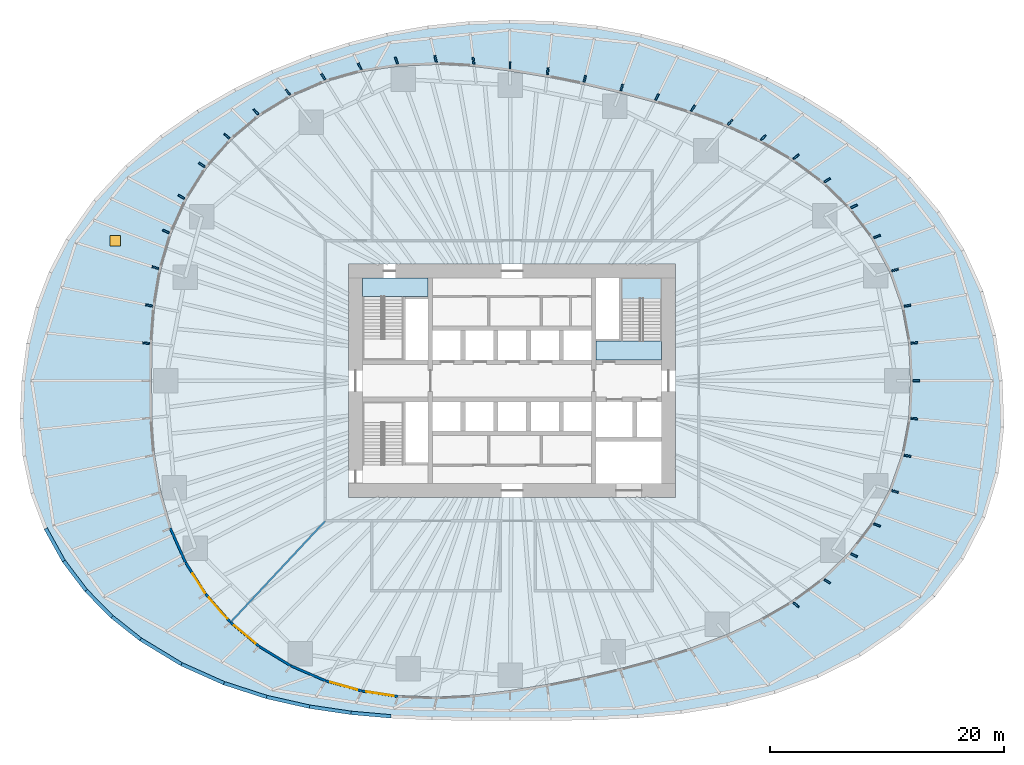
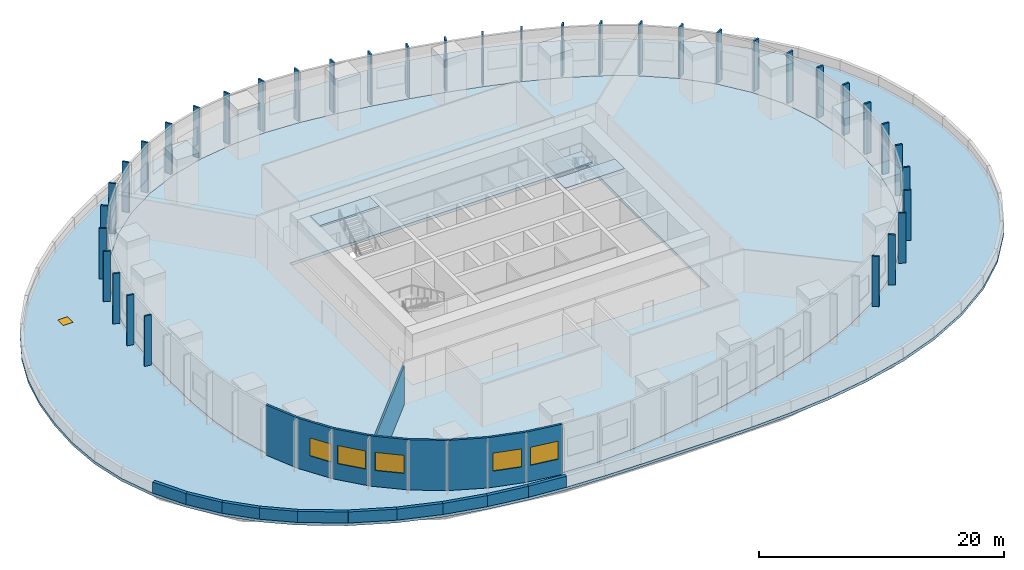
# One storey, part 5 of 11: 37 plates, 19 walls, 6 windows, 5 slabs, 6 openings, 2 elements without a shape of their own.
"""IFC4 building model written with IfcOpenShell, lengths in metres."""

from ifc_helpers import new_model, si_unit, direction, frame, frame_2d, origin, origin_2d, place, context, subcontext, project, spatial, polyline, rectangle, outline, extrude, material, layer, layer_set, type_object, element, fill, aggregate, save


model = new_model("IFC4")

# Units and contexts
model_context = context("Model", 3, precision=1e-05, world=origin(), true_north=direction((0.0, 1.0)))
body_context = subcontext(model_context, "Body", "Model", "MODEL_VIEW")
ifc_project = project(units=[si_unit("LENGTHUNIT", "METRE"), si_unit("AREAUNIT", "SQUARE_METRE"), si_unit("VOLUMEUNIT", "CUBIC_METRE"), si_unit("PLANEANGLEUNIT", "RADIAN"), si_unit("MASSUNIT", "GRAM", prefix="KILO")], contexts=[model_context])

# Site, building, storey
site_placement = place(None, origin())
site = spatial("IfcSite", under=ifc_project, at=site_placement, CompositionType="ELEMENT")
building_placement = place(site_placement, origin())
building = spatial("IfcBuilding", under=site, at=building_placement, Name="Ghaith Harvest Tower", CompositionType="ELEMENT")
storey_placement = place(building_placement, frame((0.0, 0.0, 15.0)))
storey = spatial("IfcBuildingStorey", under=building, at=storey_placement, Name="L03", CompositionType="ELEMENT", Elevation=15.0)

# Slab
ifc_material_1 = material(Name="Concrete C40/50", Category="concrete")
ifc_layer_1 = layer(ifc_material_1, 0.300048828125)
ifc_layer_set_1 = layer_set([ifc_layer_1], Name="FLOOR SLAB 300")
slab_type_1 = type_object("IfcSlabType", Name="FLOOR SLAB 300", PredefinedType="FLOOR", material=ifc_layer_set_1)
slab_1_placement = place(storey_placement, frame((0.0, 0.0, -0.300048828125)))
element("IfcSlab", 1, at=slab_1_placement, inside=storey, type_object=slab_type_1, Name="Floor slab L03", PredefinedType="FLOOR", context=body_context, shape_type="SweptSolid", body=[
    extrude(outline(polyline([(34.125, 0.0), (33.95849609375, 3.194091796875), (33.37158203125, 6.333984375), (32.318359375, 9.3408203125), (30.78515625, 12.1708984375), (28.840087890625, 14.708984375), (26.572509765625, 16.9111328125), (23.92431640625, 18.873046875), (21.149169921875, 20.469482421875), (18.34521484375, 21.7548828125), (15.22119140625, 22.916259765625), (12.1796875, 23.857666015625), (9.21533203125, 24.65087890625), (6.10888671875, 25.378662109375), (2.99560546875, 26.004150390625), (-0.181396484375, 26.527099609375), (-3.24755859375, 26.91064453125), (-6.4375, 27.0849609375), (-9.733642578125, 26.949951171875), (-12.828125, 26.476806640625), (-15.907958984375, 25.614501953125), (-18.8935546875, 24.32763671875), (-21.59912109375, 22.671142578125), (-24.04833984375, 20.618408203125), (-26.16455078125, 18.20556640625), (-27.881591796875, 15.507080078125), (-29.182373046875, 12.587890625), (-30.073974609375, 9.531005859375), (-30.606689453125, 6.35107421875), (-30.837158203125, 3.165771484375), (-30.875, 0.0), (-30.837158203125, -3.165771484375), (-30.606689453125, -6.35107421875), (-30.073974609375, -9.531005859375), (-29.182373046875, -12.587890625), (-27.881591796875, -15.507080078125), (-26.16455078125, -18.20556640625), (-24.04833984375, -20.618408203125), (-21.59912109375, -22.671142578125), (-18.8935546875, -24.32763671875), (-15.907958984375, -25.614501953125), (-12.828125, -26.476806640625), (-9.733642578125, -26.949951171875), (-6.4375, -27.0849609375), (-3.24755859375, -26.91064453125), (-0.181396484375, -26.527099609375), (2.99560546875, -26.004150390625), (6.10888671875, -25.378662109375), (9.21533203125, -24.65087890625), (12.1796875, -23.857666015625), (15.22119140625, -22.916259765625), (18.34521484375, -21.7548828125), (21.149169921875, -20.469482421875), (23.92431640625, -18.873046875), (26.572509765625, -16.9111328125), (28.840087890625, -14.708984375), (30.78515625, -12.1708984375), (32.318359375, -9.3408203125), (33.37158203125, -6.333984375), (33.95849609375, -3.194091796875), (34.125, 0.0)]), holes=[polyline([(-14.0, -10.0), (14.0, -10.0), (14.0, 10.0), (-14.0, 10.0), (-14.0, -10.0)])]), origin(), (0.0, 0.0, 1.0), 0.300048828125),
])

# Slab, opening, window
ifc_material_2 = material(Name="Concrete C40/50", Category="concrete")
ifc_layer_2 = layer(ifc_material_2, 0.27490234375)
ifc_layer_set_2 = layer_set([ifc_layer_2], Name="ROOF SLAB 275")
slab_type_2 = type_object("IfcSlabType", Name="ROOF SLAB 275", PredefinedType="ROOF", material=ifc_layer_set_2)
slab_2_placement = place(storey_placement, frame((0.0, 0.0, -0.27490234375)))
slab_2 = element("IfcSlab", 2, at=slab_2_placement, inside=storey, type_object=slab_type_2, Name="Maintenance roof", PredefinedType="ROOF", context=body_context, shape_type="SweptSolid", body=[
    extrude(outline(polyline([(42.129150390625, -3.962646484375), (41.6611328125, -7.9072265625), (40.513427734375, -11.709228515625), (38.668212890625, -15.287353515625), (36.223876953125, -18.474609375), (33.314208984375, -21.201416015625), (29.87744140625, -23.5693359375), (26.25244140625, -25.40869140625), (22.576904296875, -26.77294921875), (18.487060546875, -27.833251953125), (14.54638671875, -28.493408203125), (10.789794921875, -28.862548828125), (6.9912109375, -29.043701171875), (3.351806640625, -29.098388671875), (-0.19921875, -29.10009765625), (-3.511474609375, -29.09765625), (-6.903564453125, -29.046142578125), (-10.43310546875, -28.88671875), (-13.8466796875, -28.579345703125), (-17.416748046875, -28.044189453125), (-21.123779296875, -27.19921875), (-24.77880859375, -26.0087890625), (-28.427978515625, -24.373291015625), (-31.94921875, -22.230712890625), (-34.4013671875, -20.279296875), (-36.622314453125, -18.0263671875), (-38.5380859375, -15.489013671875), (-40.082763671875, -12.702880859375), (-41.22509765625, -9.660400390625), (-41.908203125, -6.48193359375), (-42.145751953125, -3.239990234375), (-42.0, 0.0), (-41.57275390625, 3.196044921875), (-40.8056640625, 6.311279296875), (-39.67919921875, 9.298095703125), (-38.212890625, 12.1103515625), (-35.857421875, 15.46728515625), (-33.12451171875, 18.423095703125), (-30.145751953125, 20.9755859375), (-27.0146484375, 23.16162109375), (-23.8251953125, 25.008056640625), (-20.624267578125, 26.55615234375), (-17.31640625, 27.882568359375), (-14.027099609375, 28.951416015625), (-10.755126953125, 29.778076171875), (-7.227783203125, 30.410400390625), (-3.714111328125, 30.778564453125), (-0.21142578125, 30.899658203125), (3.546875, 30.789794921875), (7.317138671875, 30.397705078125), (11.103271484375, 29.701171875), (14.681396484375, 28.758056640625), (18.281005859375, 27.522705078125), (21.901123046875, 25.9716796875), (25.11083984375, 24.3037109375), (28.29345703125, 22.319580078125), (31.389404296875, 19.9765625), (34.138671875, 17.4111328125), (36.625732421875, 14.47998046875), (38.736572265625, 11.19580078125), (40.3486328125, 7.658203125), (41.43310546875, 3.897216796875), (42.0, 0.0), (42.129150390625, -3.962646484375)]), holes=[polyline([(33.95849609375, 3.194091796875), (33.37158203125, 6.333984375), (32.318359375, 9.3408203125), (30.78515625, 12.1708984375), (28.840087890625, 14.708984375), (26.572509765625, 16.9111328125), (23.92431640625, 18.873046875), (21.149169921875, 20.469482421875), (18.34521484375, 21.7548828125), (15.22119140625, 22.916259765625), (12.1796875, 23.857666015625), (9.21533203125, 24.65087890625), (6.10888671875, 25.378662109375), (2.99560546875, 26.004150390625), (-0.181396484375, 26.527099609375), (-3.24755859375, 26.91064453125), (-6.4375, 27.0849609375), (-9.733642578125, 26.949951171875), (-12.828125, 26.476806640625), (-15.907958984375, 25.614501953125), (-18.8935546875, 24.32763671875), (-21.59912109375, 22.671142578125), (-24.04833984375, 20.618408203125), (-26.16455078125, 18.20556640625), (-27.881591796875, 15.507080078125), (-29.182373046875, 12.587890625), (-30.073974609375, 9.531005859375), (-30.606689453125, 6.35107421875), (-30.837158203125, 3.165771484375), (-30.875, 0.0), (-30.837158203125, -3.165771484375), (-30.606689453125, -6.35107421875), (-30.073974609375, -9.531005859375), (-29.182373046875, -12.587890625), (-27.881591796875, -15.507080078125), (-26.16455078125, -18.20556640625), (-24.04833984375, -20.618408203125), (-21.59912109375, -22.671142578125), (-18.8935546875, -24.32763671875), (-15.907958984375, -25.614501953125), (-12.828125, -26.476806640625), (-9.733642578125, -26.949951171875), (-6.4375, -27.0849609375), (-3.24755859375, -26.91064453125), (-0.181396484375, -26.527099609375), (2.99560546875, -26.004150390625), (6.10888671875, -25.378662109375), (9.21533203125, -24.65087890625), (12.1796875, -23.857666015625), (15.22119140625, -22.916259765625), (18.34521484375, -21.7548828125), (21.149169921875, -20.469482421875), (23.92431640625, -18.873046875), (26.572509765625, -16.9111328125), (28.840087890625, -14.708984375), (30.78515625, -12.1708984375), (32.318359375, -9.3408203125), (33.37158203125, -6.333984375), (33.95849609375, -3.194091796875), (34.125, 0.0), (33.95849609375, 3.194091796875)])]), origin(), (0.0, 0.0, 1.0), 0.27490234375),
])
opening_1_placement = place(slab_2_placement, frame((-34.0, 12.0, 0.0)))
opening_1 = element("IfcOpeningElement", 3, at=opening_1_placement, cuts=slab_2, Name="Opening RH1", PredefinedType="OPENING", context=body_context, shape_type="SweptSolid", body=[
    extrude(rectangle(XDim=0.89990234375, YDim=0.89990234375, at=origin_2d()), origin(), (0.0, 0.0, 1.0), 0.27490234375),
])
ifc_material_3 = material(Name="Aluminium hatch", Category="aluminium")
window_type_1 = type_object("IfcWindowType", Name="ROOF ACCESS HATCH 900x900", PartitioningType="SINGLE_PANEL", PredefinedType="SKYLIGHT", material=ifc_material_3)
window_1_placement = place(opening_1_placement, frame((0.0, 0.0, 0.224853515625)))
window_1 = element("IfcWindow", 4, at=window_1_placement, inside=storey, type_object=window_type_1, Name="Roof access hatch L03", OverallHeight=0.89990234375, OverallWidth=0.89990234375, PartitioningType="SINGLE_PANEL", PredefinedType="SKYLIGHT", context=body_context, shape_type="SweptSolid", body=[
    extrude(rectangle(XDim=0.89990234375, YDim=0.89990234375, at=origin_2d()), origin(), (0.0, 0.0, 1.0), 0.050048828125),
])
fill(opening_1, window_1)

# Stair, slab
ifc_material_4 = material(Name="Concrete C40/50, precast", Category="concrete")
stair_type = type_object("IfcStairType", Name="CORE STAIR 28R", PredefinedType="HALF_TURN_STAIR", material=ifc_material_4)
stair_1_placement = place(storey_placement, origin())
stair_1 = element("IfcStair", 5, at=stair_1_placement, inside=storey, type_object=stair_type, Name="Stair ST1 L03", PredefinedType="HALF_TURN_STAIR")
ifc_material_5 = material(Name="Concrete C40/50, precast", Category="concrete")
ifc_layer_3 = layer(ifc_material_5, 0.179931640625)
ifc_layer_set_3 = layer_set([ifc_layer_3], Name="STAIR LANDING 180")
slab_type_3 = type_object("IfcSlabType", Name="STAIR LANDING 180", PredefinedType="LANDING", material=ifc_layer_set_3)
slab_3_placement = place(storey_placement, frame((0.0, 0.0, 4.820068359375)))
slab_3 = element("IfcSlab", 6, at=slab_3_placement, type_object=slab_type_3, Name="ST1 landing 2", PredefinedType="LANDING", context=body_context, shape_type="SweptSolid", body=[
    extrude(outline(polyline([(-12.800048828125, 8.800048828125), (-12.800048828125, 7.199951171875), (-7.199951171875, 7.199951171875), (-7.199951171875, 8.800048828125), (-12.800048828125, 8.800048828125)])), origin(), (0.0, 0.0, 1.0), 0.179931640625),
])
aggregate(stair_1, [slab_3])

# Stair, slabs
stair_2_placement = place(storey_placement, origin())
stair_2 = element("IfcStair", 7, at=stair_2_placement, inside=storey, type_object=stair_type, Name="Stair ST2 L03", PredefinedType="HALF_TURN_STAIR")
slab_4_placement = place(storey_placement, frame((0.0, 0.0, 2.320068359375)))
slab_4 = element("IfcSlab", 8, at=slab_4_placement, type_object=slab_type_3, Name="ST2 landing 1", PredefinedType="LANDING", context=body_context, shape_type="SweptSolid", body=[
    extrude(outline(polyline([(12.800048828125, 7.02001953125), (12.800048828125, 8.800048828125), (9.35009765625, 8.800048828125), (9.35009765625, 7.02001953125), (12.800048828125, 7.02001953125)])), origin(), (0.0, 0.0, 1.0), 0.179931640625),
])
slab_5_placement = place(storey_placement, frame((0.0, 0.0, 4.820068359375)))
slab_5 = element("IfcSlab", 9, at=slab_5_placement, type_object=slab_type_3, Name="ST2 landing 2", PredefinedType="LANDING", context=body_context, shape_type="SweptSolid", body=[
    extrude(outline(polyline([(12.800048828125, 1.800048828125), (12.800048828125, 3.39990234375), (7.199951171875, 3.39990234375), (7.199951171875, 1.800048828125), (12.800048828125, 1.800048828125)])), origin(), (0.0, 0.0, 1.0), 0.179931640625),
])
aggregate(stair_2, [slab_4, slab_5])

# Plates
ifc_material_6 = material(Name="Glassfibre-reinforced concrete", Category="concrete")
ifc_layer_4 = layer(ifc_material_6, 0.14990234375)
ifc_layer_set_4 = layer_set([ifc_layer_4], Name="SUN-BREAKER FIN 600x150")
plate_type = type_object("IfcPlateType", Name="SUN-BREAKER FIN 600x150", PredefinedType="USERDEFINED", material=ifc_layer_set_4)
for number, where, z_axis, x_axis, name in (
    (10, (34.625, 0.0, 0.0), (0.0, 0.0, 1.0), (1.0, 0.0, 0.0), "Sun-breaker fin 01.1 L03"),
    (11, (34.456298828125, 3.240966796875, 0.0), (0.0, 0.0, 1.0), (0.995605438152, 0.093647271834, 0.0), "Sun-breaker fin 01.2 L03"),
    (12, (33.863037109375, 6.42724609375, 0.0), (0.0, 0.0, 1.0), (0.982460376956, 0.186471466213, 0.0), "Sun-breaker fin 01.3 L03"),
    (13, (32.798828125, 9.4794921875, 0.0), (0.0, 0.0, 1.0), (0.960680349985, 0.277656739792, 0.0), "Sun-breaker fin 02.1 L03"),
    (14, (31.250244140625, 12.354736328125, 0.0), (0.0, 0.0, 1.0), (0.929960843135, 0.367658578351, 0.0), "Sun-breaker fin 02.2 L03"),
    (15, (29.28564453125, 14.93603515625, 0.0), (0.0, 0.0, 1.0), (0.890830752257, 0.454335306611, 0.0), "Sun-breaker fin 02.3 L03"),
    (16, (26.994384765625, 17.179443359375, 0.0), (0.0, 0.0, 1.0), (0.843643971464, 0.536903016766, 0.0), "Sun-breaker fin 03.1 L03"),
    (17, (24.316650390625, 19.1826171875, 0.0), (0.0, 0.0, 1.0), (0.785114680459, 0.619350416588, 0.0), "Sun-breaker fin 03.2 L03"),
    (18, (21.508544921875, 20.8173828125, 0.0), (0.0, 0.0, 1.0), (0.7185589652, 0.69546604053, 0.0), "Sun-breaker fin 03.3 L03"),
    (19, (18.66748046875, 22.13720703125, 0.0), (0.0, 0.0, 1.0), (0.644657240203, 0.764471740913, 0.0), "Sun-breaker fin 04.1 L03"),
    (20, (15.497802734375, 23.332763671875, 0.0), (0.0, 0.0, 1.0), (0.553282686819, 0.832993558478, 0.0), "Sun-breaker fin 04.2 L03"),
    (21, (12.406982421875, 24.302978515625, 0.0), (0.0, 0.0, 1.0), (0.454690809683, 0.890649351647, 0.0), "Sun-breaker fin 04.3 L03"),
    (22, (9.390380859375, 25.119140625, 0.0), (0.0, 0.0, 1.0), (0.35016769709, 0.936687025593, 0.0), "Sun-breaker fin 05.1 L03"),
    (23, (6.22607421875, 25.86474609375, 0.0), (0.0, 0.0, 1.0), (0.234028132006, 0.972229825417, 0.0), "Sun-breaker fin 05.2 L03"),
    (24, (3.052734375, 26.500732421875, 0.0), (0.0, 0.0, 1.0), (0.114436255666, 0.993430593141, 0.0), "Sun-breaker fin 05.3 L03"),
    (25, (-0.18505859375, 27.027099609375, 0.0), (0.0, 0.0, 1.0), (-0.006843747783, 0.999976581284, 0.0), "Sun-breaker fin 06.1 L03"),
    (26, (-3.307373046875, 27.406982421875, 0.0), (0.0, 0.0, 1.0), (-0.119806500946, 0.992797261444, 0.0), "Sun-breaker fin 06.2 L03"),
    (27, (-6.552978515625, 27.571533203125, 0.0), (0.0, 0.0, 1.0), (-0.231234279063, 0.972898097535, 0.0), "Sun-breaker fin 06.3 L03"),
    (28, (-9.903564453125, 27.420166015625, 0.0), (0.0, 0.0, 1.0), (-0.339699453402, 0.94053404051, 0.0), "Sun-breaker fin 07.1 L03"),
    (29, (-13.046142578125, 26.9267578125, 0.0), (0.0, 0.0, 1.0), (-0.436023232142, 0.899935409367, 0.0), "Sun-breaker fin 07.2 L03"),
    (30, (-16.171630859375, 26.039306640625, 0.0), (0.0, 0.0, 1.0), (-0.527582795495, 0.849503616177, 0.0), "Sun-breaker fin 07.3 L03"),
    (31, (-19.2001953125, 24.722412109375, 0.0), (0.0, 0.0, 1.0), (-0.613377714422, 0.78978970584, 0.0), "Sun-breaker fin 08.1 L03"),
    (32, (-21.94384765625, 23.033203125, 0.0), (0.0, 0.0, 1.0), (-0.689778750972, 0.724020217057, 0.0), "Sun-breaker fin 08.2 L03"),
    (33, (-24.427978515625, 20.94384765625, 0.0), (0.0, 0.0, 1.0), (-0.759169742643, 0.650892696115, 0.0), "Sun-breaker fin 08.3 L03"),
    (34, (-26.574951171875, 18.4912109375, 0.0), (0.0, 0.0, 1.0), (-0.820845486523, 0.571150319316, 0.0), "Sun-breaker fin 09.1 L03"),
    (35, (-28.318603515625, 15.75, 0.0), (0.0, 0.0, 1.0), (-0.873926916005, 0.486057347935, 0.0), "Sun-breaker fin 09.2 L03"),
    (36, (-29.641357421875, 12.785888671875, 0.0), (0.0, 0.0, 1.0), (-0.918217993215, 0.396075392995, 0.0), "Sun-breaker fin 09.3 L03"),
    (37, (-30.550537109375, 9.68212890625, 0.0), (0.0, 0.0, 1.0), (-0.953273219358, 0.302109531884, 0.0), "Sun-breaker fin 10.1 L03"),
    (38, (-31.096435546875, 6.45263671875, 0.0), (0.0, 0.0, 1.0), (-0.979141680737, 0.203178662866, 0.0), "Sun-breaker fin 10.2 L03"),
    (39, (-31.33447265625, 3.216796875, 0.0), (0.0, 0.0, 1.0), (-0.994771752973, 0.102123256344, 0.0), "Sun-breaker fin 10.3 L03"),
    (40, (24.316650390625, -19.1826171875, 0.0), (0.0, 0.0, 1.0), (0.785114680351, -0.619350416725, 0.0), "Sun-breaker fin 18.3 L03"),
    (41, (26.994384765625, -17.179443359375, 0.0), (0.0, 0.0, 1.0), (0.84364397137, -0.536903016913, 0.0), "Sun-breaker fin 19.1 L03"),
    (42, (29.28564453125, -14.93603515625, 0.0), (0.0, 0.0, 1.0), (0.890830752177, -0.454335306767, 0.0), "Sun-breaker fin 19.2 L03"),
    (43, (31.250244140625, -12.354736328125, 0.0), (0.0, 0.0, 1.0), (0.929960843071, -0.367658578513, 0.0), "Sun-breaker fin 19.3 L03"),
    (44, (32.798828125, -9.4794921875, 0.0), (0.0, 0.0, 1.0), (0.960680349932, -0.277656739976, 0.0), "Sun-breaker fin 20.1 L03"),
    (45, (33.863037109375, -6.42724609375, 0.0), (0.0, 0.0, 1.0), (0.982460376923, -0.186471466384, 0.0), "Sun-breaker fin 20.2 L03"),
    (46, (34.456298828125, -3.240966796875, 0.0), (0.0, 0.0, 1.0), (0.995605438136, -0.093647272008, 0.0), "Sun-breaker fin 20.3 L03"),
):
    element("IfcPlate", number, at=place(storey_placement, frame(where, z_axis=z_axis, x_axis=x_axis)), inside=storey, type_object=plate_type, Name=name, ObjectType="SUN-BREAKER FIN", PredefinedType="USERDEFINED", context=body_context, shape_type="SweptSolid", body=[
        extrude(rectangle(XDim=0.60009765625, YDim=0.14990234375, at=origin_2d()), origin(), (0.0, 0.0, 1.0), 5.0),
    ])

# Walls
ifc_material_7 = material(Name="Concrete C40/50", Category="concrete")
ifc_layer_5 = layer(ifc_material_7, 0.300048828125)
ifc_layer_set_5 = layer_set([ifc_layer_5], Name="PARAPET 300")
wall_type_1 = type_object("IfcWallType", Name="PARAPET 300", PredefinedType="PARAPET", material=ifc_layer_set_5)
wall_1_placement = place(storey_placement, frame((-39.939697265625, -12.65771484375, 0.0), z_axis=(0.0, 0.0, 1.0), x_axis=(0.485375176648, -0.874305974985, 0.0)))
element("IfcWall", 47, at=wall_1_placement, inside=storey, type_object=wall_type_1, Name="Parapet 12.1 L03", PredefinedType="PARAPET", context=body_context, shape_type="SweptSolid", body=[
    extrude(rectangle(XDim=3.17431640625, YDim=0.300048828125, at=frame_2d((1.587158203125, 0.0))), origin(), (0.0, 0.0, 1.0), 1.10009765625),
])
wall_2_placement = place(storey_placement, frame((-38.39892578125, -15.43310546875, 0.0), z_axis=(0.0, 0.0, 1.0), x_axis=(0.603225462521, -0.797570712455, 0.0)))
element("IfcWall", 48, at=wall_2_placement, inside=storey, type_object=wall_type_1, Name="Parapet 12.2 L03", PredefinedType="PARAPET", context=body_context, shape_type="SweptSolid", body=[
    extrude(rectangle(XDim=3.168212890625, YDim=0.300048828125, at=frame_2d((1.583984375, 0.0))), origin(), (0.0, 0.0, 1.0), 1.10009765625),
])
wall_3_placement = place(storey_placement, frame((-36.48779296875, -17.9599609375, 0.0), z_axis=(0.0, 0.0, 1.0), x_axis=(0.702718196355, -0.71146829621, 0.0)))
element("IfcWall", 49, at=wall_3_placement, inside=storey, type_object=wall_type_1, Name="Parapet 12.3 L03", PredefinedType="PARAPET", context=body_context, shape_type="SweptSolid", body=[
    extrude(rectangle(XDim=3.15283203125, YDim=0.300048828125, at=frame_2d((1.576416015625, 0.0))), origin(), (0.0, 0.0, 1.0), 1.10009765625),
])
wall_4_placement = place(storey_placement, frame((-34.272216796875, -20.203125, 0.0), z_axis=(0.0, 0.0, 1.0), x_axis=(0.783235123855, -0.621725615332, 0.0)))
element("IfcWall", 50, at=wall_4_placement, inside=storey, type_object=wall_type_1, Name="Parapet 12.4 L03", PredefinedType="PARAPET", context=body_context, shape_type="SweptSolid", body=[
    extrude(rectangle(XDim=3.123046875, YDim=0.300048828125, at=frame_2d((1.5615234375, 0.0))), origin(), (0.0, 0.0, 1.0), 1.10009765625),
])
wall_5_placement = place(storey_placement, frame((-31.826171875, -22.144775390625, 0.0), z_axis=(0.0, 0.0, 1.0), x_axis=(0.85495507004, -0.518702061123, 0.0)))
element("IfcWall", 51, at=wall_5_placement, inside=storey, type_object=wall_type_1, Name="Parapet 13.1 L03", PredefinedType="PARAPET", context=body_context, shape_type="SweptSolid", body=[
    extrude(rectangle(XDim=4.108154296875, YDim=0.300048828125, at=frame_2d((2.05419921875, 0.0))), origin(), (0.0, 0.0, 1.0), 1.10009765625),
])
wall_6_placement = place(storey_placement, frame((-28.31396484375, -24.275634765625, 0.0), z_axis=(0.0, 0.0, 1.0), x_axis=(0.913128108075, -0.407672734241, 0.0)))
element("IfcWall", 52, at=wall_6_placement, inside=storey, type_object=wall_type_1, Name="Parapet 13.2 L03", PredefinedType="PARAPET", context=body_context, shape_type="SweptSolid", body=[
    extrude(rectangle(XDim=3.98486328125, YDim=0.300048828125, at=frame_2d((1.992431640625, 0.0))), origin(), (0.0, 0.0, 1.0), 1.10009765625),
])
wall_7_placement = place(storey_placement, frame((-24.67529296875, -25.900146484375, 0.0), z_axis=(0.0, 0.0, 1.0), x_axis=(0.951301655702, -0.308261512126, 0.0)))
element("IfcWall", 53, at=wall_7_placement, inside=storey, type_object=wall_type_1, Name="Parapet 13.3 L03", PredefinedType="PARAPET", context=body_context, shape_type="SweptSolid", body=[
    extrude(rectangle(XDim=3.830078125, YDim=0.300048828125, at=frame_2d((1.9150390625, 0.0))), origin(), (0.0, 0.0, 1.0), 1.10009765625),
])
wall_8_placement = place(storey_placement, frame((-21.03173828125, -27.080810546875, 0.0), z_axis=(0.0, 0.0, 1.0), x_axis=(0.975339486362, -0.220709959772, 0.0)))
element("IfcWall", 54, at=wall_8_placement, inside=storey, type_object=wall_type_1, Name="Parapet 14.1 L03", PredefinedType="PARAPET", context=body_context, shape_type="SweptSolid", body=[
    extrude(rectangle(XDim=3.78759765625, YDim=0.300048828125, at=frame_2d((1.893798828125, 0.0))), origin(), (0.0, 0.0, 1.0), 1.10009765625),
])
wall_9_placement = place(storey_placement, frame((-17.337646484375, -27.916748046875, 0.0), z_axis=(0.0, 0.0, 1.0), x_axis=(0.989173178132, -0.146752934089, 0.0)))
element("IfcWall", 55, at=wall_9_placement, inside=storey, type_object=wall_type_1, Name="Parapet 14.2 L03", PredefinedType="PARAPET", context=body_context, shape_type="SweptSolid", body=[
    extrude(rectangle(XDim=3.594970703125, YDim=0.300048828125, at=frame_2d((1.79736328125, 0.0))), origin(), (0.0, 0.0, 1.0), 1.10009765625),
])
wall_10_placement = place(storey_placement, frame((-13.781494140625, -28.4443359375, 0.0), z_axis=(0.0, 0.0, 1.0), x_axis=(0.996095322252, -0.088284251071, 0.0)))
element("IfcWall", 56, at=wall_10_placement, inside=storey, type_object=wall_type_1, Name="Parapet 14.3 L03", PredefinedType="PARAPET", context=body_context, shape_type="SweptSolid", body=[
    extrude(rectangle(XDim=3.41259765625, YDim=0.300048828125, at=frame_2d((1.706298828125, 0.0))), origin(), (0.0, 0.0, 1.0), 1.10009765625),
])
ifc_material_8 = material(Name="Gypsum board on steel studs", Category="steel")
ifc_layer_6 = layer(ifc_material_8, 0.14990234375)
ifc_layer_set_6 = layer_set([ifc_layer_6], Name="PARTITION 150H")
wall_type_2 = type_object("IfcWallType", Name="PARTITION 150H", PredefinedType="PARTITIONING", material=ifc_layer_set_6)
wall_11_placement = place(storey_placement, frame((-16.013671875, -12.0146484375, 0.0), z_axis=(0.0, 0.0, 1.0), x_axis=(-0.682522513656, -0.730864569091, 0.0)))
element("IfcWall", 57, at=wall_11_placement, inside=storey, type_object=wall_type_2, Name="Partition L03 zone division", PredefinedType="PARTITIONING", context=body_context, shape_type="SweptSolid", body=[
    extrude(rectangle(XDim=11.751953125, YDim=0.14990234375, at=frame_2d((5.8759765625, 0.0))), origin(), (0.0, 0.0, 1.0), 3.873046875),
])
ifc_material_9 = material(Name="Steel, black insulated metal cladding panel", Category="steel")
ifc_layer_7 = layer(ifc_material_9, 0.199951171875)
ifc_layer_set_7 = layer_set([ifc_layer_7], Name="PLANT ENCLOSURE WALL 200")
wall_type_3 = type_object("IfcWallType", Name="PLANT ENCLOSURE WALL 200", PredefinedType="SOLIDWALL", material=ifc_layer_set_7)
wall_12_placement = place(storey_placement, frame((-29.274169921875, -12.62744140625, 0.0), z_axis=(0.0, 0.0, 1.0), x_axis=(0.407113305764, -0.913377663549, 0.0)))
element("IfcWall", 58, at=wall_12_placement, inside=storey, type_object=wall_type_3, Name="Plant enclosure wall 12.2 L03", PredefinedType="SOLIDWALL", context=body_context, shape_type="SweptSolid", body=[
    extrude(rectangle(XDim=3.205810546875, YDim=0.199951171875, at=frame_2d((1.60302734375, 0.0))), origin(), (0.0, 0.0, 1.0), 5.0),
])

# Wall, opening, window
wall_13_placement = place(storey_placement, frame((-27.968994140625, -15.5556640625, 0.0), z_axis=(0.0, 0.0, 1.0), x_axis=(0.536767165703, -0.843730413001, 0.0)))
wall_13 = element("IfcWall", 59, at=wall_13_placement, inside=storey, type_object=wall_type_3, Name="Plant enclosure wall 12.3 L03", PredefinedType="SOLIDWALL", context=body_context, shape_type="SweptSolid", body=[
    extrude(rectangle(XDim=3.20849609375, YDim=0.199951171875, at=frame_2d((1.604248046875, 0.0))), origin(), (0.0, 0.0, 1.0), 5.0),
])
opening_2_placement = place(wall_13_placement, frame((1.110107421875, 0.0, 1.60009765625)))
opening_2 = element("IfcOpeningElement", 60, at=opening_2_placement, cuts=wall_13, Name="Opening LV2", PredefinedType="OPENING", context=body_context, shape_type="SweptSolid", body=[
    extrude(rectangle(XDim=2.0, YDim=1.800048828125, at=frame_2d((1.0, 0.89990234375))), frame((0.0, 0.10986328125, 0.0), z_axis=(0.0, -1.0, 0.0), x_axis=(1.0, 0.0, 0.0)), (0.0, 0.0, 1.0), 0.219970703125),
])
ifc_material_10 = material(Name="Aluminium louvre, black", Category="aluminium")
window_type_2 = type_object("IfcWindowType", Name="LOUVRE L2 2000x1800", PartitioningType="SINGLE_PANEL", PredefinedType="WINDOW", material=ifc_material_10)
window_2_placement = place(opening_2_placement, origin())
window_2 = element("IfcWindow", 61, at=window_2_placement, inside=storey, type_object=window_type_2, Name="Plant louvre 12.3 L03", OverallHeight=1.800048828125, OverallWidth=2.0, PartitioningType="SINGLE_PANEL", PredefinedType="WINDOW", context=body_context, shape_type="SweptSolid", body=[
    extrude(rectangle(XDim=2.0, YDim=1.800048828125, at=frame_2d((1.0, 0.89990234375))), frame((0.0, 0.030029296875, 0.0), z_axis=(0.0, -1.0, 0.0), x_axis=(1.0, 0.0, 0.0)), (0.0, 0.0, 1.0), 0.06005859375),
])
fill(opening_2, window_2)

wall_14_placement = place(storey_placement, frame((-26.246826171875, -18.2626953125, 0.0), z_axis=(0.0, 0.0, 1.0), x_axis=(0.659255857284, -0.751918688846, 0.0)))
wall_14 = element("IfcWall", 62, at=wall_14_placement, inside=storey, type_object=wall_type_3, Name="Plant enclosure wall 13.1 L03", PredefinedType="SOLIDWALL", context=body_context, shape_type="SweptSolid", body=[
    extrude(rectangle(XDim=3.2197265625, YDim=0.199951171875, at=frame_2d((1.60986328125, 0.0))), origin(), (0.0, 0.0, 1.0), 5.0),
])
opening_3_placement = place(wall_14_placement, frame((0.409912109375, 0.0, 1.60009765625)))
opening_3 = element("IfcOpeningElement", 63, at=opening_3_placement, cuts=wall_14, Name="Opening LV1", PredefinedType="OPENING", context=body_context, shape_type="SweptSolid", body=[
    extrude(rectangle(XDim=2.39990234375, YDim=1.800048828125, at=frame_2d((1.199951171875, 0.89990234375))), frame((0.0, 0.10986328125, 0.0), z_axis=(0.0, -1.0, 0.0), x_axis=(1.0, 0.0, 0.0)), (0.0, 0.0, 1.0), 0.219970703125),
])
ifc_material_11 = material(Name="Aluminium louvre, black", Category="aluminium")
window_type_3 = type_object("IfcWindowType", Name="LOUVRE L1 2400x1800", PartitioningType="SINGLE_PANEL", PredefinedType="WINDOW", material=ifc_material_11)
window_3_placement = place(opening_3_placement, origin())
window_3 = element("IfcWindow", 64, at=window_3_placement, inside=storey, type_object=window_type_3, Name="Plant louvre 13.1 L03", OverallHeight=1.800048828125, OverallWidth=2.39990234375, PartitioningType="SINGLE_PANEL", PredefinedType="WINDOW", context=body_context, shape_type="SweptSolid", body=[
    extrude(rectangle(XDim=2.39990234375, YDim=1.800048828125, at=frame_2d((1.199951171875, 0.89990234375))), frame((0.0, 0.030029296875, 0.0), z_axis=(0.0, -1.0, 0.0), x_axis=(1.0, 0.0, 0.0)), (0.0, 0.0, 1.0), 0.06005859375),
])
fill(opening_3, window_3)

wall_15_placement = place(storey_placement, frame((-24.124267578125, -20.68359375, 0.0), z_axis=(0.0, 0.0, 1.0), x_axis=(0.766201219495, -0.64260072459, 0.0)))
wall_15 = element("IfcWall", 65, at=wall_15_placement, inside=storey, type_object=wall_type_3, Name="Plant enclosure wall 13.2 L03", PredefinedType="SOLIDWALL", context=body_context, shape_type="SweptSolid", body=[
    extrude(rectangle(XDim=3.205810546875, YDim=0.199951171875, at=frame_2d((1.60302734375, 0.0))), origin(), (0.0, 0.0, 1.0), 5.0),
])
opening_4_placement = place(wall_15_placement, frame((0.40283203125, 0.0, 1.60009765625)))
opening_4 = element("IfcOpeningElement", 66, at=opening_4_placement, cuts=wall_15, Name="Opening LV1", PredefinedType="OPENING", context=body_context, shape_type="SweptSolid", body=[
    extrude(rectangle(XDim=2.39990234375, YDim=1.800048828125, at=frame_2d((1.199951171875, 0.89990234375))), frame((0.0, 0.10986328125, 0.0), z_axis=(0.0, -1.0, 0.0), x_axis=(1.0, 0.0, 0.0)), (0.0, 0.0, 1.0), 0.219970703125),
])
window_4_placement = place(opening_4_placement, origin())
window_4 = element("IfcWindow", 67, at=window_4_placement, inside=storey, type_object=window_type_3, Name="Plant louvre 13.2 L03", OverallHeight=1.800048828125, OverallWidth=2.39990234375, PartitioningType="SINGLE_PANEL", PredefinedType="WINDOW", context=body_context, shape_type="SweptSolid", body=[
    extrude(rectangle(XDim=2.39990234375, YDim=1.800048828125, at=frame_2d((1.199951171875, 0.89990234375))), frame((0.0, 0.030029296875, 0.0), z_axis=(0.0, -1.0, 0.0), x_axis=(1.0, 0.0, 0.0)), (0.0, 0.0, 1.0), 0.06005859375),
])
fill(opening_4, window_4)

# Walls
wall_16_placement = place(storey_placement, frame((-21.66796875, -22.74365234375, 0.0), z_axis=(0.0, 0.0, 1.0), x_axis=(0.85260786828, -0.522551263462, 0.0)))
element("IfcWall", 68, at=wall_16_placement, inside=storey, type_object=wall_type_3, Name="Plant enclosure wall 13.3 L03", PredefinedType="SOLIDWALL", context=body_context, shape_type="SweptSolid", body=[
    extrude(rectangle(XDim=3.18212890625, YDim=0.199951171875, at=frame_2d((1.591064453125, 0.0))), origin(), (0.0, 0.0, 1.0), 5.0),
])
wall_17_placement = place(storey_placement, frame((-18.954833984375, -24.406494140625, 0.0), z_axis=(0.0, 0.0, 1.0), x_axis=(0.918030153112, -0.396510577384, 0.0)))
element("IfcWall", 69, at=wall_17_placement, inside=storey, type_object=wall_type_3, Name="Plant enclosure wall 14.1 L03", PredefinedType="SOLIDWALL", context=body_context, shape_type="SweptSolid", body=[
    extrude(rectangle(XDim=3.261474609375, YDim=0.199951171875, at=frame_2d((1.630859375, 0.0))), origin(), (0.0, 0.0, 1.0), 5.0),
])

# Wall, opening, window
wall_18_placement = place(storey_placement, frame((-15.960693359375, -25.69970703125, 0.0), z_axis=(0.0, 0.0, 1.0), x_axis=(0.962777273016, -0.270295990654, 0.0)))
wall_18 = element("IfcWall", 70, at=wall_18_placement, inside=storey, type_object=wall_type_3, Name="Plant enclosure wall 14.2 L03", PredefinedType="SOLIDWALL", context=body_context, shape_type="SweptSolid", body=[
    extrude(rectangle(XDim=3.208251953125, YDim=0.199951171875, at=frame_2d((1.60400390625, 0.0))), origin(), (0.0, 0.0, 1.0), 5.0),
])
opening_5_placement = place(wall_18_placement, frame((0.404296875, 0.0, 1.60009765625)))
opening_5 = element("IfcOpeningElement", 71, at=opening_5_placement, cuts=wall_18, Name="Opening LV1", PredefinedType="OPENING", context=body_context, shape_type="SweptSolid", body=[
    extrude(rectangle(XDim=2.39990234375, YDim=1.800048828125, at=frame_2d((1.199951171875, 0.89990234375))), frame((0.0, 0.10986328125, 0.0), z_axis=(0.0, -1.0, 0.0), x_axis=(1.0, 0.0, 0.0)), (0.0, 0.0, 1.0), 0.219970703125),
])
window_5_placement = place(opening_5_placement, origin())
window_5 = element("IfcWindow", 72, at=window_5_placement, inside=storey, type_object=window_type_3, Name="Plant louvre 14.2 L03", OverallHeight=1.800048828125, OverallWidth=2.39990234375, PartitioningType="SINGLE_PANEL", PredefinedType="WINDOW", context=body_context, shape_type="SweptSolid", body=[
    extrude(rectangle(XDim=2.39990234375, YDim=1.800048828125, at=frame_2d((1.199951171875, 0.89990234375))), frame((0.0, 0.030029296875, 0.0), z_axis=(0.0, -1.0, 0.0), x_axis=(1.0, 0.0, 0.0)), (0.0, 0.0, 1.0), 0.06005859375),
])
fill(opening_5, window_5)

wall_19_placement = place(storey_placement, frame((-12.871826171875, -26.56689453125, 0.0), z_axis=(0.0, 0.0, 1.0), x_axis=(0.988396846799, -0.151893624746, 0.0)))
wall_19 = element("IfcWall", 73, at=wall_19_placement, inside=storey, type_object=wall_type_3, Name="Plant enclosure wall 14.3 L03", PredefinedType="SOLIDWALL", context=body_context, shape_type="SweptSolid", body=[
    extrude(rectangle(XDim=3.140625, YDim=0.199951171875, at=frame_2d((1.5703125, 0.0))), origin(), (0.0, 0.0, 1.0), 5.0),
])
opening_6_placement = place(wall_19_placement, frame((0.370361328125, 0.0, 1.60009765625)))
opening_6 = element("IfcOpeningElement", 74, at=opening_6_placement, cuts=wall_19, Name="Opening LV1", PredefinedType="OPENING", context=body_context, shape_type="SweptSolid", body=[
    extrude(rectangle(XDim=2.39990234375, YDim=1.800048828125, at=frame_2d((1.199951171875, 0.89990234375))), frame((0.0, 0.10986328125, 0.0), z_axis=(0.0, -1.0, 0.0), x_axis=(1.0, 0.0, 0.0)), (0.0, 0.0, 1.0), 0.219970703125),
])
window_6_placement = place(opening_6_placement, origin())
window_6 = element("IfcWindow", 75, at=window_6_placement, inside=storey, type_object=window_type_3, Name="Plant louvre 14.3 L03", OverallHeight=1.800048828125, OverallWidth=2.39990234375, PartitioningType="SINGLE_PANEL", PredefinedType="WINDOW", context=body_context, shape_type="SweptSolid", body=[
    extrude(rectangle(XDim=2.39990234375, YDim=1.800048828125, at=frame_2d((1.199951171875, 0.89990234375))), frame((0.0, 0.030029296875, 0.0), z_axis=(0.0, -1.0, 0.0), x_axis=(1.0, 0.0, 0.0)), (0.0, 0.0, 1.0), 0.06005859375),
])
fill(opening_6, window_6)

save(model, "model.ifc")
